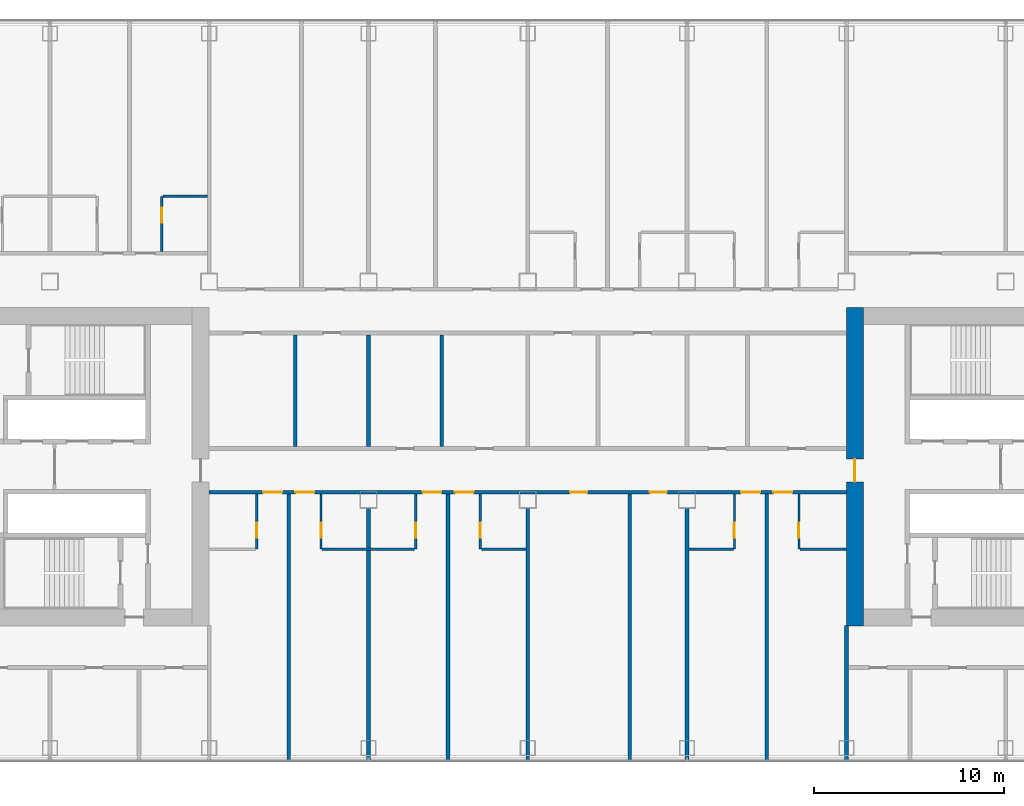
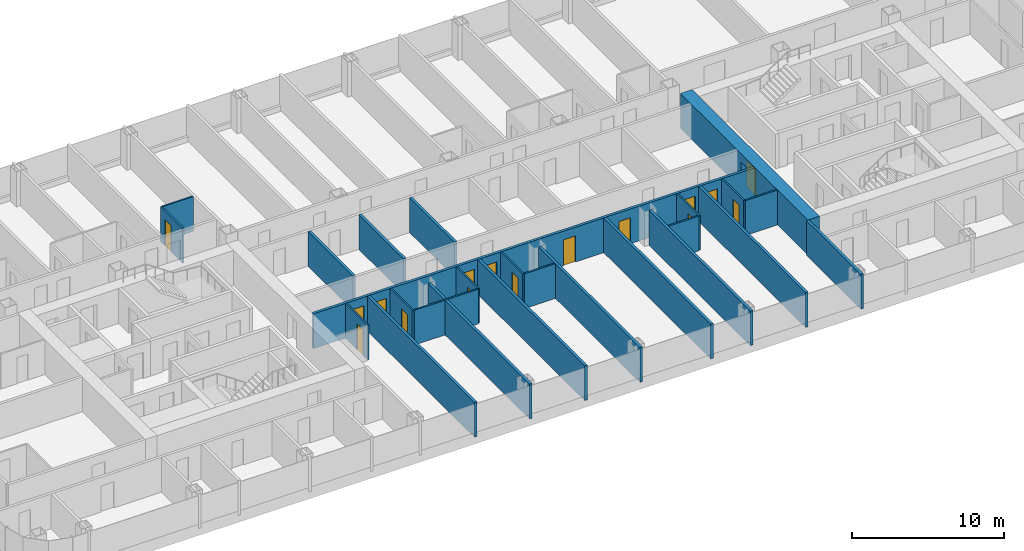
# One storey, part 17 of 29: 25 walls, 16 doors, 16 openings.
"""IFC4 building model written with IfcOpenShell, lengths in metres."""

import ifcopenshell
import ifcopenshell.guid

model = None  # the IFC model being written
_history = None  # IfcOwnerHistory: only IFC2X3 demands one
_inside = {}  # id of a spatial element -> (the spatial element, [elements in it])
_under = {}  # id of a project, library or spatial element -> (it, [spatial elements below it])
_declared = {}  # id of a project -> (the project, [libraries it declares])
_typed = {}  # id of a type object -> (the type object, [elements of that type])
_made_of = {}  # id of a material, layer set ... -> (it, [elements and type objects made of it])


def new_model(schema):
    """Start an empty IFC model of exactly this schema.

    Asked for "IFC4X3", IfcOpenShell would pick the latest addendum, in which some entities
    have other attributes; the version numbers below select the first issue.
    IFC2X3 requires an IfcOwnerHistory on every rooted entity: one is made here for all.
    """
    global model, _history
    if schema == "IFC4X3":
        model = ifcopenshell.file(schema_version=(4, 3, 0, 0))
    else:
        model = ifcopenshell.file(schema=schema)
    _inside.clear()
    _under.clear()
    _declared.clear()
    _typed.clear()
    _made_of.clear()
    _history = None
    if model.schema == "IFC2X3":
        org = make("IfcOrganization", Name="unknown")
        user = make(
            "IfcPersonAndOrganization",
            ThePerson=make("IfcPerson", FamilyName="unknown"),
            TheOrganization=org,
        )
        app = make(
            "IfcApplication",
            ApplicationDeveloper=org,
            Version="unknown",
            ApplicationFullName="unknown",
            ApplicationIdentifier="unknown",
        )
        _history = make(
            "IfcOwnerHistory",
            OwningUser=user,
            OwningApplication=app,
            ChangeAction="ADDED",
            CreationDate=0,
        )
    return model


def make(cls, **values):
    """One entity of the class cls with the attributes given. An attribute that is None is left unset."""
    return model.create_entity(
        cls, **{name: value for name, value in values.items() if value is not None}
    )


def rooted(cls, **values):
    """An entity with a GlobalId (a new one), such as an element, a storey or a relation."""
    return make(cls, GlobalId=ifcopenshell.guid.new(), OwnerHistory=_history, **values)


def si_unit(unit_type, name, prefix=None):
    """IfcSIUnit, for example si_unit("LENGTHUNIT", "METRE", prefix="MILLI")."""
    return make("IfcSIUnit", UnitType=unit_type, Prefix=prefix, Name=name)


def assignment(units):
    """IfcUnitAssignment: the units of a project."""
    return None if units is None else make("IfcUnitAssignment", Units=units)


def point(xyz):
    """IfcCartesianPoint."""
    return None if xyz is None else make("IfcCartesianPoint", Coordinates=xyz)


def direction(xyz):
    """IfcDirection."""
    return None if xyz is None else make("IfcDirection", DirectionRatios=xyz)


def frame(location, z_axis=None, x_axis=None):
    """IfcAxis2Placement3D, a coordinate frame: its origin and axes. An axis left out is left unset."""
    return make(
        "IfcAxis2Placement3D",
        Location=point(location),
        Axis=direction(z_axis),
        RefDirection=direction(x_axis),
    )


def frame_2d(location, x_axis=None):
    """IfcAxis2Placement2D, a coordinate frame in the plane: its origin and x axis."""
    return make(
        "IfcAxis2Placement2D", Location=point(location), RefDirection=direction(x_axis)
    )


def origin():
    """The frame at (0, 0, 0) with its axes left unset."""
    return frame((0.0, 0.0, 0.0))


def place(relative_to, where):
    """IfcLocalPlacement: puts the frame where relative to a parent placement (None: the world)."""
    return make(
        "IfcLocalPlacement", PlacementRelTo=relative_to, RelativePlacement=where
    )


def context(
    kind, dimensions, precision=None, world=None, true_north=None, identifier=None
):
    """IfcGeometricRepresentationContext, for example the 3D "Model" context."""
    return make(
        "IfcGeometricRepresentationContext",
        ContextIdentifier=identifier,
        ContextType=kind,
        CoordinateSpaceDimension=dimensions,
        Precision=precision,
        WorldCoordinateSystem=world,
        TrueNorth=true_north,
    )


def subcontext(parent, identifier, kind, view, scale=None):
    """IfcGeometricRepresentationSubContext, for example "Body" below "Model"."""
    return make(
        "IfcGeometricRepresentationSubContext",
        ContextIdentifier=identifier,
        ContextType=kind,
        ParentContext=parent,
        TargetScale=scale,
        TargetView=view,
    )


def project(units=None, contexts=None):
    """IfcProject with its units and contexts."""
    return rooted(
        "IfcProject",
        Name="project",
        RepresentationContexts=contexts,
        UnitsInContext=assignment(units),
    )


def spatial(cls, under=None, at=None, **own):
    """A site, building, storey or space (cls), placed at a placement, below another one or the project."""
    s = rooted(cls, ObjectPlacement=at, **own)
    if under is not None:
        _under.setdefault(under.id(), (under, []))[1].append(s)
    return s


def profile(cls, at=None, kind="AREA", **sizes):
    """A parametric profile (cls). Its sizes go by their IFC names, for example OverallWidth=200.0."""
    return make(cls, ProfileType=kind, Position=at, **sizes)


def rectangle(**sizes):
    """IfcRectangleProfileDef."""
    return profile("IfcRectangleProfileDef", **sizes)


def extrude(swept, where, along, depth):
    """IfcExtrudedAreaSolid: the profile swept, set in the frame where, extruded along a direction by depth."""
    return make(
        "IfcExtrudedAreaSolid",
        SweptArea=swept,
        Position=where,
        ExtrudedDirection=direction(along),
        Depth=depth,
    )


def shape(context_of_items, identifier, shape_type, items):
    """IfcShapeRepresentation: the items that make up one representation, for example the "Body"."""
    return make(
        "IfcShapeRepresentation",
        ContextOfItems=context_of_items,
        RepresentationIdentifier=identifier,
        RepresentationType=shape_type,
        Items=items,
    )


def material(Name=None, Category=None):
    """IfcMaterial."""
    return make("IfcMaterial", Name=Name, Category=Category)


def layer(
    of_material, thickness, ventilated=None, Name=None, Category=None, Priority=None
):
    """IfcMaterialLayer: one layer of a wall or slab, of a material (None: an air gap)."""
    return make(
        "IfcMaterialLayer",
        Material=of_material,
        LayerThickness=thickness,
        IsVentilated=ventilated,
        Name=Name,
        Category=Category,
        Priority=Priority,
    )


def layer_set(layers, Name=None):
    """IfcMaterialLayerSet."""
    return make("IfcMaterialLayerSet", MaterialLayers=layers, LayerSetName=Name)


def made_of(thing, what):
    """Note that an element or type object is made of a material, layer set ...; save() writes the relation."""
    if what is not None:
        _made_of.setdefault(what.id(), (what, []))[1].append(thing)
    return thing


def type_object(cls, material=None, **own):
    """A type object (cls), such as IfcWallType, which elements share."""
    return made_of(rooted(cls, **own), material)


def element(
    cls,
    number,
    at=None,
    inside=None,
    cuts=None,
    type_object=None,
    material=None,
    context=None,
    identifier="Body",
    shape_type=None,
    held_by="IfcProductDefinitionShape",
    body=None,
    shapes=None,
    **own,
):
    """One element of the class cls, such as IfcWall. Its Tag is "e" and its number.

    at: its placement. inside: the storey or other place that contains it. cuts: it is an
    opening in that element (IfcRelVoidsElement). A single representation is given by context,
    identifier, shape_type and body (its items); several are given by shapes. held_by: the class
    of the entity that holds the representations. save() writes the other relations.
    """
    e = rooted(cls, Tag="e%d" % number, ObjectPlacement=at, **own)
    if body is not None:
        shapes = [shape(context, identifier, shape_type, body)]
    if shapes is not None:
        e.Representation = make(held_by, Representations=shapes)
    if inside is not None:
        _inside.setdefault(inside.id(), (inside, []))[1].append(e)
    if cuts is not None:
        rooted(
            "IfcRelVoidsElement", RelatingBuildingElement=cuts, RelatedOpeningElement=e
        )
    if type_object is not None:
        _typed.setdefault(type_object.id(), (type_object, []))[1].append(e)
    return made_of(e, material)


def fill(opening, filler):
    """IfcRelFillsElement: the door or window that sits in an opening."""
    return rooted(
        "IfcRelFillsElement",
        RelatingOpeningElement=opening,
        RelatedBuildingElement=filler,
    )


def aggregate(whole, parts):
    """IfcRelAggregates: a whole, such as a stair, and the parts it consists of."""
    return rooted("IfcRelAggregates", RelatingObject=whole, RelatedObjects=parts)


def save(model, path):
    """Write the relations noted so far, then the file.

    IfcRelAggregates (storeys below a building ...), IfcRelContainedInSpatialStructure (elements
    in a storey), IfcRelDefinesByType, IfcRelAssociatesMaterial and IfcRelDeclares: one each for
    every whole, place, type object, material and project.
    """
    for whole, parts in _under.values():
        aggregate(whole, parts)
    for where, things in _inside.values():
        rooted(
            "IfcRelContainedInSpatialStructure",
            RelatedElements=things,
            RelatingStructure=where,
        )
    for kind, things in _typed.values():
        rooted("IfcRelDefinesByType", RelatedObjects=things, RelatingType=kind)
    for what, things in _made_of.values():
        rooted("IfcRelAssociatesMaterial", RelatedObjects=things, RelatingMaterial=what)
    for by, libraries in _declared.values():
        rooted("IfcRelDeclares", RelatingContext=by, RelatedDefinitions=libraries)
    model.write(path)


model = new_model("IFC4")

# Units and contexts
model_context = context("Model", 3, precision=1e-05, world=origin(), true_north=direction((0.0, 1.0)))
body_context = subcontext(model_context, "Body", "Model", "MODEL_VIEW")
ifc_project = project(units=[si_unit("LENGTHUNIT", "METRE"), si_unit("AREAUNIT", "SQUARE_METRE"), si_unit("VOLUMEUNIT", "CUBIC_METRE"), si_unit("PLANEANGLEUNIT", "RADIAN"), si_unit("MASSUNIT", "GRAM", prefix="KILO")], contexts=[model_context])

# Site, building, storey
site_placement = place(None, origin())
site = spatial("IfcSite", under=ifc_project, at=site_placement, CompositionType="ELEMENT")
building_placement = place(site_placement, origin())
building = spatial("IfcBuilding", under=site, at=building_placement, Name="Hakoniwa Tower and Hamabe Station Hall", CompositionType="ELEMENT")
storey_placement = place(building_placement, frame((0.0, 0.0, 110.60009765625)))
storey = spatial("IfcBuildingStorey", under=building, at=storey_placement, Name="L31", CompositionType="ELEMENT", Elevation=110.60009765625)

# Walls
ifc_material_1 = material(Name="Gypsum board partition", Category="gypsum")
ifc_layer_1 = layer(ifc_material_1, 0.125)
ifc_layer_set_1 = layer_set([ifc_layer_1], Name="Bathroom Partition 125")
wall_type_1 = type_object("IfcWallType", Name="Bathroom Partition 125", PredefinedType="PARTITIONING", material=ifc_layer_set_1)
wall_1_placement = place(storey_placement, frame((-10.83740234375, -4.35009765625, 0.0), z_axis=(0.0, 0.0, 1.0), x_axis=(1.0, 0.0, 0.0)))
element("IfcWall", 1, at=wall_1_placement, inside=storey, type_object=wall_type_1, Name="GW-L31-008", PredefinedType="PARTITIONING", context=body_context, shape_type="SweptSolid", body=[
    extrude(rectangle(XDim=4.875, YDim=0.125, at=frame_2d((2.4375, 0.0))), origin(), (0.0, 0.0, 1.0), 2.7998046875),
])
for number, where, z_axis, x_axis, name in (
    (2, (-2.4375, -4.35009765625, 0.0), (0.0, 0.0, 1.0), (1.0, 0.0, 0.0), "GW-L31-009"),
    (3, (8.5, -4.35009765625, 0.0), (0.0, 0.0, 1.0), (1.0, 0.0, 0.0), "GW-L31-010"),
):
    element("IfcWall", number, at=place(storey_placement, frame(where, z_axis=z_axis, x_axis=x_axis)), inside=storey, type_object=wall_type_1, Name=name, PredefinedType="PARTITIONING", context=body_context, shape_type="SweptSolid", body=[
        extrude(rectangle(XDim=2.33740234375, YDim=0.125, at=frame_2d((1.168701171875, 0.0))), origin(), (0.0, 0.0, 1.0), 2.7998046875),
    ])
wall_2_placement = place(storey_placement, frame((14.362548828125, -4.35009765625, 0.0), z_axis=(0.0, 0.0, 1.0), x_axis=(1.0, 0.0, 0.0)))
element("IfcWall", 4, at=wall_2_placement, inside=storey, type_object=wall_type_1, Name="GW-L31-011", PredefinedType="PARTITIONING", context=body_context, shape_type="SweptSolid", body=[
    extrude(rectangle(XDim=2.447509765625, YDim=0.125, at=frame_2d((1.2236328125, 0.0))), origin(), (0.0, 0.0, 1.0), 2.7998046875),
])
wall_3_placement = place(storey_placement, frame((-19.237548828125, 14.25, 0.0), z_axis=(0.0, 0.0, 1.0), x_axis=(1.0, 0.0, 0.0)))
element("IfcWall", 5, at=wall_3_placement, inside=storey, type_object=wall_type_1, Name="GW-L31-030", PredefinedType="PARTITIONING", context=body_context, shape_type="SweptSolid", body=[
    extrude(rectangle(XDim=2.337646484375, YDim=0.125, at=frame_2d((1.1689453125, 0.0))), origin(), (0.0, 0.0, 1.0), 2.7998046875),
])

# Wall, opening, door
wall_4_placement = place(storey_placement, frame((-19.300048828125, 11.35009765625, 0.0), z_axis=(0.0, 0.0, 1.0), x_axis=(0.0, 1.0, 0.0)))
wall_4 = element("IfcWall", 6, at=wall_4_placement, inside=storey, type_object=wall_type_1, Name="GW-L31-050", PredefinedType="PARTITIONING", context=body_context, shape_type="SweptSolid", body=[
    extrude(rectangle(XDim=2.89990234375, YDim=0.125, at=frame_2d((1.449951171875, 0.0))), origin(), (0.0, 0.0, 1.0), 2.7998046875),
])
opening_1_placement = place(wall_4_placement, frame((1.5, 0.0, 0.0)))
opening_1 = element("IfcOpeningElement", 7, at=opening_1_placement, cuts=wall_4, Name="Opening GD-G2B2-62", PredefinedType="OPENING", context=body_context, shape_type="SweptSolid", body=[
    extrude(rectangle(XDim=0.800048828125, YDim=2.10009765625, at=frame_2d((0.39990234375, 1.050048828125))), frame((0.0, 0.072509765625, 0.0), z_axis=(0.0, -1.0, 0.0), x_axis=(1.0, 0.0, 0.0)), (0.0, 0.0, 1.0), 0.14501953125),
])
ifc_material_2 = material(Name="Timber door leaf", Category="wood")
door_type_1 = type_object("IfcDoorType", Name="Bathroom Door 800", OperationType="SINGLE_SWING_LEFT", PredefinedType="DOOR", material=ifc_material_2)
door_1_placement = place(opening_1_placement, origin())
door_1 = element("IfcDoor", 8, at=door_1_placement, inside=storey, type_object=door_type_1, Name="Door GD-G2B2-62", OperationType="SINGLE_SWING_RIGHT", OverallHeight=2.10009765625, OverallWidth=0.800048828125, PredefinedType="DOOR", context=body_context, shape_type="SweptSolid", body=[
    extrude(rectangle(XDim=0.800048828125, YDim=2.10009765625, at=frame_2d((0.39990234375, 1.050048828125))), frame((0.0, 0.02490234375, 0.0), z_axis=(0.0, -1.0, 0.0), x_axis=(1.0, 0.0, 0.0)), (0.0, 0.0, 1.0), 0.050048828125),
])
fill(opening_1, door_1)

wall_5_placement = place(storey_placement, frame((-14.300048828125, -4.35009765625, 0.0), z_axis=(0.0, 0.0, 1.0), x_axis=(0.0, 1.0, 0.0)))
wall_5 = element("IfcWall", 9, at=wall_5_placement, inside=storey, type_object=wall_type_1, Name="GW-L31-053", PredefinedType="PARTITIONING", context=body_context, shape_type="SweptSolid", body=[
    extrude(rectangle(XDim=2.900146484375, YDim=0.125, at=frame_2d((1.4501953125, 0.0))), origin(), (0.0, 0.0, 1.0), 2.7998046875),
])
opening_2_placement = place(wall_5_placement, frame((0.60009765625, 0.0, 0.0)))
opening_2 = element("IfcOpeningElement", 10, at=opening_2_placement, cuts=wall_5, Name="Opening GD-G2B2-63", PredefinedType="OPENING", context=body_context, shape_type="SweptSolid", body=[
    extrude(rectangle(XDim=0.800048828125, YDim=2.10009765625, at=frame_2d((0.39990234375, 1.050048828125))), frame((0.0, 0.072509765625, 0.0), z_axis=(0.0, -1.0, 0.0), x_axis=(1.0, 0.0, 0.0)), (0.0, 0.0, 1.0), 0.14501953125),
])
door_2_placement = place(opening_2_placement, origin())
door_2 = element("IfcDoor", 11, at=door_2_placement, inside=storey, type_object=door_type_1, Name="Door GD-G2B2-63", OperationType="SINGLE_SWING_RIGHT", OverallHeight=2.10009765625, OverallWidth=0.800048828125, PredefinedType="DOOR", context=body_context, shape_type="SweptSolid", body=[
    extrude(rectangle(XDim=0.800048828125, YDim=2.10009765625, at=frame_2d((0.39990234375, 1.050048828125))), frame((0.0, 0.02490234375, 0.0), z_axis=(0.0, -1.0, 0.0), x_axis=(1.0, 0.0, 0.0)), (0.0, 0.0, 1.0), 0.050048828125),
])
fill(opening_2, door_2)

wall_6_placement = place(storey_placement, frame((-10.89990234375, -4.35009765625, 0.0), z_axis=(0.0, 0.0, 1.0), x_axis=(0.0, 1.0, 0.0)))
wall_6 = element("IfcWall", 12, at=wall_6_placement, inside=storey, type_object=wall_type_1, Name="GW-L31-057", PredefinedType="PARTITIONING", context=body_context, shape_type="SweptSolid", body=[
    extrude(rectangle(XDim=2.900146484375, YDim=0.125, at=frame_2d((1.4501953125, 0.0))), origin(), (0.0, 0.0, 1.0), 2.7998046875),
])
opening_3_placement = place(wall_6_placement, frame((0.60009765625, 0.0, 0.0)))
opening_3 = element("IfcOpeningElement", 13, at=opening_3_placement, cuts=wall_6, Name="Opening GD-G2B2-64", PredefinedType="OPENING", context=body_context, shape_type="SweptSolid", body=[
    extrude(rectangle(XDim=0.800048828125, YDim=2.10009765625, at=frame_2d((0.39990234375, 1.050048828125))), frame((0.0, 0.072509765625, 0.0), z_axis=(0.0, -1.0, 0.0), x_axis=(1.0, 0.0, 0.0)), (0.0, 0.0, 1.0), 0.14501953125),
])
door_3_placement = place(opening_3_placement, origin())
door_3 = element("IfcDoor", 14, at=door_3_placement, inside=storey, type_object=door_type_1, Name="Door GD-G2B2-64", OperationType="SINGLE_SWING_LEFT", OverallHeight=2.10009765625, OverallWidth=0.800048828125, PredefinedType="DOOR", context=body_context, shape_type="SweptSolid", body=[
    extrude(rectangle(XDim=0.800048828125, YDim=2.10009765625, at=frame_2d((0.39990234375, 1.050048828125))), frame((0.0, 0.02490234375, 0.0), z_axis=(0.0, -1.0, 0.0), x_axis=(1.0, 0.0, 0.0)), (0.0, 0.0, 1.0), 0.050048828125),
])
fill(opening_3, door_3)

wall_7_placement = place(storey_placement, frame((-5.89990234375, -4.35009765625, 0.0), z_axis=(0.0, 0.0, 1.0), x_axis=(0.0, 1.0, 0.0)))
wall_7 = element("IfcWall", 15, at=wall_7_placement, inside=storey, type_object=wall_type_1, Name="GW-L31-061", PredefinedType="PARTITIONING", context=body_context, shape_type="SweptSolid", body=[
    extrude(rectangle(XDim=2.900146484375, YDim=0.125, at=frame_2d((1.4501953125, 0.0))), origin(), (0.0, 0.0, 1.0), 2.7998046875),
])
opening_4_placement = place(wall_7_placement, frame((0.60009765625, 0.0, 0.0)))
opening_4 = element("IfcOpeningElement", 16, at=opening_4_placement, cuts=wall_7, Name="Opening GD-G2B2-65", PredefinedType="OPENING", context=body_context, shape_type="SweptSolid", body=[
    extrude(rectangle(XDim=0.800048828125, YDim=2.10009765625, at=frame_2d((0.39990234375, 1.050048828125))), frame((0.0, 0.072509765625, 0.0), z_axis=(0.0, -1.0, 0.0), x_axis=(1.0, 0.0, 0.0)), (0.0, 0.0, 1.0), 0.14501953125),
])
door_4_placement = place(opening_4_placement, origin())
door_4 = element("IfcDoor", 17, at=door_4_placement, inside=storey, type_object=door_type_1, Name="Door GD-G2B2-65", OperationType="SINGLE_SWING_RIGHT", OverallHeight=2.10009765625, OverallWidth=0.800048828125, PredefinedType="DOOR", context=body_context, shape_type="SweptSolid", body=[
    extrude(rectangle(XDim=0.800048828125, YDim=2.10009765625, at=frame_2d((0.39990234375, 1.050048828125))), frame((0.0, 0.02490234375, 0.0), z_axis=(0.0, -1.0, 0.0), x_axis=(1.0, 0.0, 0.0)), (0.0, 0.0, 1.0), 0.050048828125),
])
fill(opening_4, door_4)

wall_8_placement = place(storey_placement, frame((-2.5, -4.35009765625, 0.0), z_axis=(0.0, 0.0, 1.0), x_axis=(0.0, 1.0, 0.0)))
wall_8 = element("IfcWall", 18, at=wall_8_placement, inside=storey, type_object=wall_type_1, Name="GW-L31-065", PredefinedType="PARTITIONING", context=body_context, shape_type="SweptSolid", body=[
    extrude(rectangle(XDim=2.900146484375, YDim=0.125, at=frame_2d((1.4501953125, 0.0))), origin(), (0.0, 0.0, 1.0), 2.7998046875),
])
opening_5_placement = place(wall_8_placement, frame((0.60009765625, 0.0, 0.0)))
opening_5 = element("IfcOpeningElement", 19, at=opening_5_placement, cuts=wall_8, Name="Opening GD-G2B2-66", PredefinedType="OPENING", context=body_context, shape_type="SweptSolid", body=[
    extrude(rectangle(XDim=0.800048828125, YDim=2.10009765625, at=frame_2d((0.39990234375, 1.050048828125))), frame((0.0, 0.072509765625, 0.0), z_axis=(0.0, -1.0, 0.0), x_axis=(1.0, 0.0, 0.0)), (0.0, 0.0, 1.0), 0.14501953125),
])
door_5_placement = place(opening_5_placement, origin())
door_5 = element("IfcDoor", 20, at=door_5_placement, inside=storey, type_object=door_type_1, Name="Door GD-G2B2-66", OperationType="SINGLE_SWING_LEFT", OverallHeight=2.10009765625, OverallWidth=0.800048828125, PredefinedType="DOOR", context=body_context, shape_type="SweptSolid", body=[
    extrude(rectangle(XDim=0.800048828125, YDim=2.10009765625, at=frame_2d((0.39990234375, 1.050048828125))), frame((0.0, 0.02490234375, 0.0), z_axis=(0.0, -1.0, 0.0), x_axis=(1.0, 0.0, 0.0)), (0.0, 0.0, 1.0), 0.050048828125),
])
fill(opening_5, door_5)

wall_9_placement = place(storey_placement, frame((10.89990234375, -4.35009765625, 0.0), z_axis=(0.0, 0.0, 1.0), x_axis=(0.0, 1.0, 0.0)))
wall_9 = element("IfcWall", 21, at=wall_9_placement, inside=storey, type_object=wall_type_1, Name="GW-L31-077", PredefinedType="PARTITIONING", context=body_context, shape_type="SweptSolid", body=[
    extrude(rectangle(XDim=2.900146484375, YDim=0.125, at=frame_2d((1.4501953125, 0.0))), origin(), (0.0, 0.0, 1.0), 2.7998046875),
])
opening_6_placement = place(wall_9_placement, frame((0.60009765625, 0.0, 0.0)))
opening_6 = element("IfcOpeningElement", 22, at=opening_6_placement, cuts=wall_9, Name="Opening GD-G2B2-69", PredefinedType="OPENING", context=body_context, shape_type="SweptSolid", body=[
    extrude(rectangle(XDim=0.800048828125, YDim=2.10009765625, at=frame_2d((0.39990234375, 1.050048828125))), frame((0.0, 0.072509765625, 0.0), z_axis=(0.0, -1.0, 0.0), x_axis=(1.0, 0.0, 0.0)), (0.0, 0.0, 1.0), 0.14501953125),
])
door_6_placement = place(opening_6_placement, origin())
door_6 = element("IfcDoor", 23, at=door_6_placement, inside=storey, type_object=door_type_1, Name="Door GD-G2B2-69", OperationType="SINGLE_SWING_RIGHT", OverallHeight=2.10009765625, OverallWidth=0.800048828125, PredefinedType="DOOR", context=body_context, shape_type="SweptSolid", body=[
    extrude(rectangle(XDim=0.800048828125, YDim=2.10009765625, at=frame_2d((0.39990234375, 1.050048828125))), frame((0.0, 0.02490234375, 0.0), z_axis=(0.0, -1.0, 0.0), x_axis=(1.0, 0.0, 0.0)), (0.0, 0.0, 1.0), 0.050048828125),
])
fill(opening_6, door_6)

wall_10_placement = place(storey_placement, frame((14.300048828125, -4.35009765625, 0.0), z_axis=(0.0, 0.0, 1.0), x_axis=(0.0, 1.0, 0.0)))
wall_10 = element("IfcWall", 24, at=wall_10_placement, inside=storey, type_object=wall_type_1, Name="GW-L31-082", PredefinedType="PARTITIONING", context=body_context, shape_type="SweptSolid", body=[
    extrude(rectangle(XDim=2.900146484375, YDim=0.125, at=frame_2d((1.4501953125, 0.0))), origin(), (0.0, 0.0, 1.0), 2.7998046875),
])
opening_7_placement = place(wall_10_placement, frame((0.60009765625, 0.0, 0.0)))
opening_7 = element("IfcOpeningElement", 25, at=opening_7_placement, cuts=wall_10, Name="Opening GD-G2B2-71", PredefinedType="OPENING", context=body_context, shape_type="SweptSolid", body=[
    extrude(rectangle(XDim=0.800048828125, YDim=2.10009765625, at=frame_2d((0.39990234375, 1.050048828125))), frame((0.0, 0.072509765625, 0.0), z_axis=(0.0, -1.0, 0.0), x_axis=(1.0, 0.0, 0.0)), (0.0, 0.0, 1.0), 0.14501953125),
])
door_7_placement = place(opening_7_placement, origin())
door_7 = element("IfcDoor", 26, at=door_7_placement, inside=storey, type_object=door_type_1, Name="Door GD-G2B2-71", OperationType="SINGLE_SWING_LEFT", OverallHeight=2.10009765625, OverallWidth=0.800048828125, PredefinedType="DOOR", context=body_context, shape_type="SweptSolid", body=[
    extrude(rectangle(XDim=0.800048828125, YDim=2.10009765625, at=frame_2d((0.39990234375, 1.050048828125))), frame((0.0, 0.02490234375, 0.0), z_axis=(0.0, -1.0, 0.0), x_axis=(1.0, 0.0, 0.0)), (0.0, 0.0, 1.0), 0.050048828125),
])
fill(opening_7, door_7)

ifc_material_3 = material(Name="Concrete C72", Category="concrete")
ifc_layer_2 = layer(ifc_material_3, 0.89990234375)
ifc_layer_set_2 = layer_set([ifc_layer_2], Name="CORE WALL 900 C72")
wall_type_2 = type_object("IfcWallType", Name="CORE WALL 900 C72", PredefinedType="SHEAR", material=ifc_layer_set_2)
wall_11_placement = place(storey_placement, frame((17.25, -8.39990234375, 0.0), z_axis=(0.0, 0.0, 1.0), x_axis=(0.0, 1.0, 0.0)))
wall_11 = element("IfcWall", 27, at=wall_11_placement, inside=storey, type_object=wall_type_2, Name="Core wall INNER east", PredefinedType="SHEAR", context=body_context, shape_type="SweptSolid", body=[
    extrude(rectangle(XDim=16.7998046875, YDim=0.89990234375, at=frame_2d((8.39990234375, 0.0))), origin(), (0.0, 0.0, 1.0), 2.7998046875),
])
opening_8_placement = place(wall_11_placement, frame((7.60009765625, 0.0, 0.0)))
opening_8 = element("IfcOpeningElement", 28, at=opening_8_placement, cuts=wall_11, Name="Opening CD-E-IN1-12", PredefinedType="OPENING", context=body_context, shape_type="SweptSolid", body=[
    extrude(rectangle(XDim=1.199951171875, YDim=2.10009765625, at=frame_2d((0.60009765625, 1.050048828125))), frame((0.0, 0.4599609375, 0.0), z_axis=(0.0, -1.0, 0.0), x_axis=(1.0, 0.0, 0.0)), (0.0, 0.0, 1.0), 0.919921875),
])
ifc_material_4 = material(Name="Steel fire door", Category="steel")
door_type_2 = type_object("IfcDoorType", Name="CORE DOOR 1200 FD60", OperationType="DOUBLE_DOOR_SINGLE_SWING", PredefinedType="DOOR", material=ifc_material_4)
door_8_placement = place(opening_8_placement, origin())
door_8 = element("IfcDoor", 29, at=door_8_placement, inside=storey, type_object=door_type_2, Name="Lift lobby door", OperationType="DOUBLE_DOOR_SINGLE_SWING", OverallHeight=2.10009765625, OverallWidth=1.199951171875, PredefinedType="DOOR", context=body_context, shape_type="SweptSolid", body=[
    extrude(rectangle(XDim=1.199951171875, YDim=2.10009765625, at=frame_2d((0.60009765625, 1.050048828125))), frame((0.0, 0.02490234375, 0.0), z_axis=(0.0, -1.0, 0.0), x_axis=(1.0, 0.0, 0.0)), (0.0, 0.0, 1.0), 0.050048828125),
])
fill(opening_8, door_8)

# Wall, openings, doors
ifc_material_5 = material(Name="Fire-rated gypsum board partition", Category="gypsum")
ifc_layer_3 = layer(ifc_material_5, 0.199951171875)
ifc_layer_set_3 = layer_set([ifc_layer_3], Name="Corridor Wall 200")
wall_type_3 = type_object("IfcWallType", Name="Corridor Wall 200", PredefinedType="PARTITIONING", material=ifc_layer_set_3)
wall_12_placement = place(storey_placement, frame((-16.800048828125, -1.35009765625, 0.0), z_axis=(0.0, 0.0, 1.0), x_axis=(1.0, 0.0, 0.0)))
wall_12 = element("IfcWall", 30, at=wall_12_placement, inside=storey, type_object=wall_type_3, Name="GW-L31-012", PredefinedType="PARTITIONING", context=body_context, shape_type="SweptSolid", body=[
    extrude(rectangle(XDim=33.60009765625, YDim=0.199951171875, at=frame_2d((16.800048828125, 0.0))), origin(), (0.0, 0.0, 1.0), 2.7998046875),
])
opening_9_placement = place(wall_12_placement, frame((2.85009765625, 0.0, 0.0)))
opening_9 = element("IfcOpeningElement", 31, at=opening_9_placement, cuts=wall_12, Name="Opening GD-G2B2-18", PredefinedType="OPENING", context=body_context, shape_type="SweptSolid", body=[
    extrude(rectangle(XDim=1.0, YDim=2.10009765625, at=frame_2d((0.5, 1.050048828125))), frame((0.0, 0.10986328125, 0.0), z_axis=(0.0, -1.0, 0.0), x_axis=(1.0, 0.0, 0.0)), (0.0, 0.0, 1.0), 0.219970703125),
])
opening_10_placement = place(wall_12_placement, frame((4.550048828125, 0.0, 0.0)))
opening_10 = element("IfcOpeningElement", 32, at=opening_10_placement, cuts=wall_12, Name="Opening GD-G2B2-19", PredefinedType="OPENING", context=body_context, shape_type="SweptSolid", body=[
    extrude(rectangle(XDim=1.0, YDim=2.10009765625, at=frame_2d((0.5, 1.050048828125))), frame((0.0, 0.10986328125, 0.0), z_axis=(0.0, -1.0, 0.0), x_axis=(1.0, 0.0, 0.0)), (0.0, 0.0, 1.0), 0.219970703125),
])
opening_11_placement = place(wall_12_placement, frame((11.25, 0.0, 0.0)))
opening_11 = element("IfcOpeningElement", 33, at=opening_11_placement, cuts=wall_12, Name="Opening GD-G2B2-20", PredefinedType="OPENING", context=body_context, shape_type="SweptSolid", body=[
    extrude(rectangle(XDim=1.0, YDim=2.10009765625, at=frame_2d((0.5, 1.050048828125))), frame((0.0, 0.10986328125, 0.0), z_axis=(0.0, -1.0, 0.0), x_axis=(1.0, 0.0, 0.0)), (0.0, 0.0, 1.0), 0.219970703125),
])
opening_12_placement = place(wall_12_placement, frame((12.949951171875, 0.0, 0.0)))
opening_12 = element("IfcOpeningElement", 34, at=opening_12_placement, cuts=wall_12, Name="Opening GD-G2B2-21", PredefinedType="OPENING", context=body_context, shape_type="SweptSolid", body=[
    extrude(rectangle(XDim=1.0, YDim=2.10009765625, at=frame_2d((0.5, 1.050048828125))), frame((0.0, 0.10986328125, 0.0), z_axis=(0.0, -1.0, 0.0), x_axis=(1.0, 0.0, 0.0)), (0.0, 0.0, 1.0), 0.219970703125),
])
opening_13_placement = place(wall_12_placement, frame((19.0400390625, 0.0, 0.0)))
opening_13 = element("IfcOpeningElement", 35, at=opening_13_placement, cuts=wall_12, Name="Opening GD-G2B2-22", PredefinedType="OPENING", context=body_context, shape_type="SweptSolid", body=[
    extrude(rectangle(XDim=0.89990234375, YDim=2.10009765625, at=frame_2d((0.449951171875, 1.050048828125))), frame((0.0, 0.10986328125, 0.0), z_axis=(0.0, -1.0, 0.0), x_axis=(1.0, 0.0, 0.0)), (0.0, 0.0, 1.0), 0.219970703125),
])
opening_14_placement = place(wall_12_placement, frame((23.239990234375, 0.0, 0.0)))
opening_14 = element("IfcOpeningElement", 36, at=opening_14_placement, cuts=wall_12, Name="Opening GD-G2B2-23", PredefinedType="OPENING", context=body_context, shape_type="SweptSolid", body=[
    extrude(rectangle(XDim=0.89990234375, YDim=2.10009765625, at=frame_2d((0.449951171875, 1.050048828125))), frame((0.0, 0.10986328125, 0.0), z_axis=(0.0, -1.0, 0.0), x_axis=(1.0, 0.0, 0.0)), (0.0, 0.0, 1.0), 0.219970703125),
])
opening_15_placement = place(wall_12_placement, frame((28.050048828125, 0.0, 0.0)))
opening_15 = element("IfcOpeningElement", 37, at=opening_15_placement, cuts=wall_12, Name="Opening GD-G2B2-24", PredefinedType="OPENING", context=body_context, shape_type="SweptSolid", body=[
    extrude(rectangle(XDim=1.0, YDim=2.10009765625, at=frame_2d((0.5, 1.050048828125))), frame((0.0, 0.10986328125, 0.0), z_axis=(0.0, -1.0, 0.0), x_axis=(1.0, 0.0, 0.0)), (0.0, 0.0, 1.0), 0.219970703125),
])
opening_16_placement = place(wall_12_placement, frame((29.75, 0.0, 0.0)))
opening_16 = element("IfcOpeningElement", 38, at=opening_16_placement, cuts=wall_12, Name="Opening GD-G2B2-25", PredefinedType="OPENING", context=body_context, shape_type="SweptSolid", body=[
    extrude(rectangle(XDim=1.0, YDim=2.10009765625, at=frame_2d((0.5, 1.050048828125))), frame((0.0, 0.10986328125, 0.0), z_axis=(0.0, -1.0, 0.0), x_axis=(1.0, 0.0, 0.0)), (0.0, 0.0, 1.0), 0.219970703125),
])
ifc_material_6 = material(Name="Timber door leaf", Category="wood")
door_type_3 = type_object("IfcDoorType", Name="Guest Entrance Door 1000", OperationType="SINGLE_SWING_LEFT", PredefinedType="DOOR", material=ifc_material_6)
door_9_placement = place(opening_9_placement, origin())
door_9 = element("IfcDoor", 39, at=door_9_placement, inside=storey, type_object=door_type_3, Name="Door GD-G2B2-18", OperationType="SINGLE_SWING_RIGHT", OverallHeight=2.10009765625, OverallWidth=1.0, PredefinedType="DOOR", context=body_context, shape_type="SweptSolid", body=[
    extrude(rectangle(XDim=1.0, YDim=2.10009765625, at=frame_2d((0.5, 1.050048828125))), frame((0.0, 0.02490234375, 0.0), z_axis=(0.0, -1.0, 0.0), x_axis=(1.0, 0.0, 0.0)), (0.0, 0.0, 1.0), 0.050048828125),
])
fill(opening_9, door_9)
door_10_placement = place(opening_10_placement, origin())
door_10 = element("IfcDoor", 40, at=door_10_placement, inside=storey, type_object=door_type_3, Name="Door GD-G2B2-19", OperationType="SINGLE_SWING_LEFT", OverallHeight=2.10009765625, OverallWidth=1.0, PredefinedType="DOOR", context=body_context, shape_type="SweptSolid", body=[
    extrude(rectangle(XDim=1.0, YDim=2.10009765625, at=frame_2d((0.5, 1.050048828125))), frame((0.0, 0.02490234375, 0.0), z_axis=(0.0, -1.0, 0.0), x_axis=(1.0, 0.0, 0.0)), (0.0, 0.0, 1.0), 0.050048828125),
])
fill(opening_10, door_10)
door_11_placement = place(opening_11_placement, origin())
door_11 = element("IfcDoor", 41, at=door_11_placement, inside=storey, type_object=door_type_3, Name="Door GD-G2B2-20", OperationType="SINGLE_SWING_LEFT", OverallHeight=2.10009765625, OverallWidth=1.0, PredefinedType="DOOR", context=body_context, shape_type="SweptSolid", body=[
    extrude(rectangle(XDim=1.0, YDim=2.10009765625, at=frame_2d((0.5, 1.050048828125))), frame((0.0, 0.02490234375, 0.0), z_axis=(0.0, -1.0, 0.0), x_axis=(1.0, 0.0, 0.0)), (0.0, 0.0, 1.0), 0.050048828125),
])
fill(opening_11, door_11)
door_12_placement = place(opening_12_placement, origin())
door_12 = element("IfcDoor", 42, at=door_12_placement, inside=storey, type_object=door_type_3, Name="Door GD-G2B2-21", OperationType="SINGLE_SWING_RIGHT", OverallHeight=2.10009765625, OverallWidth=1.0, PredefinedType="DOOR", context=body_context, shape_type="SweptSolid", body=[
    extrude(rectangle(XDim=1.0, YDim=2.10009765625, at=frame_2d((0.5, 1.050048828125))), frame((0.0, 0.02490234375, 0.0), z_axis=(0.0, -1.0, 0.0), x_axis=(1.0, 0.0, 0.0)), (0.0, 0.0, 1.0), 0.050048828125),
])
fill(opening_12, door_12)
door_13_placement = place(opening_15_placement, origin())
door_13 = element("IfcDoor", 43, at=door_13_placement, inside=storey, type_object=door_type_3, Name="Door GD-G2B2-24", OperationType="SINGLE_SWING_LEFT", OverallHeight=2.10009765625, OverallWidth=1.0, PredefinedType="DOOR", context=body_context, shape_type="SweptSolid", body=[
    extrude(rectangle(XDim=1.0, YDim=2.10009765625, at=frame_2d((0.5, 1.050048828125))), frame((0.0, 0.02490234375, 0.0), z_axis=(0.0, -1.0, 0.0), x_axis=(1.0, 0.0, 0.0)), (0.0, 0.0, 1.0), 0.050048828125),
])
fill(opening_15, door_13)
door_14_placement = place(opening_16_placement, origin())
door_14 = element("IfcDoor", 44, at=door_14_placement, inside=storey, type_object=door_type_3, Name="Door GD-G2B2-25", OperationType="SINGLE_SWING_RIGHT", OverallHeight=2.10009765625, OverallWidth=1.0, PredefinedType="DOOR", context=body_context, shape_type="SweptSolid", body=[
    extrude(rectangle(XDim=1.0, YDim=2.10009765625, at=frame_2d((0.5, 1.050048828125))), frame((0.0, 0.02490234375, 0.0), z_axis=(0.0, -1.0, 0.0), x_axis=(1.0, 0.0, 0.0)), (0.0, 0.0, 1.0), 0.050048828125),
])
fill(opening_16, door_14)
ifc_material_7 = material(Name="Timber door leaf", Category="wood")
door_type_4 = type_object("IfcDoorType", Name="Service Door 900", OperationType="SINGLE_SWING_LEFT", PredefinedType="DOOR", material=ifc_material_7)
door_15_placement = place(opening_13_placement, origin())
door_15 = element("IfcDoor", 45, at=door_15_placement, inside=storey, type_object=door_type_4, Name="Door GD-G2B2-22", OperationType="SINGLE_SWING_LEFT", OverallHeight=2.10009765625, OverallWidth=0.89990234375, PredefinedType="DOOR", context=body_context, shape_type="SweptSolid", body=[
    extrude(rectangle(XDim=0.89990234375, YDim=2.10009765625, at=frame_2d((0.449951171875, 1.050048828125))), frame((0.0, 0.02490234375, 0.0), z_axis=(0.0, -1.0, 0.0), x_axis=(1.0, 0.0, 0.0)), (0.0, 0.0, 1.0), 0.050048828125),
])
fill(opening_13, door_15)
door_16_placement = place(opening_14_placement, origin())
door_16 = element("IfcDoor", 46, at=door_16_placement, inside=storey, type_object=door_type_4, Name="Door GD-G2B2-23", OperationType="SINGLE_SWING_LEFT", OverallHeight=2.10009765625, OverallWidth=0.89990234375, PredefinedType="DOOR", context=body_context, shape_type="SweptSolid", body=[
    extrude(rectangle(XDim=0.89990234375, YDim=2.10009765625, at=frame_2d((0.449951171875, 1.050048828125))), frame((0.0, 0.02490234375, 0.0), z_axis=(0.0, -1.0, 0.0), x_axis=(1.0, 0.0, 0.0)), (0.0, 0.0, 1.0), 0.050048828125),
])
fill(opening_14, door_16)

# Walls
ifc_material_8 = material(Name="Fire-rated gypsum board partition", Category="gypsum")
ifc_layer_4 = layer(ifc_material_8, 0.199951171875)
ifc_layer_set_4 = layer_set([ifc_layer_4], Name="Party Wall 200")
wall_type_4 = type_object("IfcWallType", Name="Party Wall 200", PredefinedType="PARTITIONING", material=ifc_layer_set_4)
wall_13_placement = place(storey_placement, frame((-12.60009765625, -15.550048828125, 0.0), z_axis=(0.0, 0.0, 1.0), x_axis=(0.0, 1.0, 0.0)))
element("IfcWall", 47, at=wall_13_placement, inside=storey, type_object=wall_type_4, Name="GW-L31-054", PredefinedType="PARTITIONING", context=body_context, shape_type="SweptSolid", body=[
    extrude(rectangle(XDim=14.10009765625, YDim=0.199951171875, at=frame_2d((7.050048828125, 0.0))), origin(), (0.0, 0.0, 1.0), 2.7998046875),
])
wall_14_placement = place(storey_placement, frame((-12.260009765625, 1.050048828125, 0.0), z_axis=(0.0, 0.0, 1.0), x_axis=(0.0, 1.0, 0.0)))
element("IfcWall", 48, at=wall_14_placement, inside=storey, type_object=wall_type_4, Name="GW-L31-055", PredefinedType="PARTITIONING", context=body_context, shape_type="SweptSolid", body=[
    extrude(rectangle(XDim=5.89990234375, YDim=0.199951171875, at=frame_2d((2.949951171875, 0.0))), origin(), (0.0, 0.0, 1.0), 2.7998046875),
])
wall_15_placement = place(storey_placement, frame((-8.39990234375, -15.550048828125, 0.0), z_axis=(0.0, 0.0, 1.0), x_axis=(0.0, 1.0, 0.0)))
element("IfcWall", 49, at=wall_15_placement, inside=storey, type_object=wall_type_4, Name="GW-L31-058", PredefinedType="PARTITIONING", context=body_context, shape_type="SweptSolid", body=[
    extrude(rectangle(XDim=13.360107421875, YDim=0.199951171875, at=frame_2d((6.68017578125, 0.0))), origin(), (0.0, 0.0, 1.0), 2.7998046875),
])
for number, where, z_axis, x_axis, name in (
    (50, (-8.39990234375, 1.050048828125, 0.0), (0.0, 0.0, 1.0), (0.0, 1.0, 0.0), "GW-L31-059"),
    (51, (-4.5400390625, 1.050048828125, 0.0), (0.0, 0.0, 1.0), (0.0, 1.0, 0.0), "GW-L31-063"),
):
    element("IfcWall", number, at=place(storey_placement, frame(where, z_axis=z_axis, x_axis=x_axis)), inside=storey, type_object=wall_type_4, Name=name, PredefinedType="PARTITIONING", context=body_context, shape_type="SweptSolid", body=[
        extrude(rectangle(XDim=5.89990234375, YDim=0.199951171875, at=frame_2d((2.949951171875, 0.0))), origin(), (0.0, 0.0, 1.0), 2.7998046875),
    ])
wall_16_placement = place(storey_placement, frame((-4.199951171875, -15.550048828125, 0.0), z_axis=(0.0, 0.0, 1.0), x_axis=(0.0, 1.0, 0.0)))
element("IfcWall", 52, at=wall_16_placement, inside=storey, type_object=wall_type_4, Name="GW-L31-064", PredefinedType="PARTITIONING", context=body_context, shape_type="SweptSolid", body=[
    extrude(rectangle(XDim=14.10009765625, YDim=0.199951171875, at=frame_2d((7.050048828125, 0.0))), origin(), (0.0, 0.0, 1.0), 2.7998046875),
])
wall_17_placement = place(storey_placement, frame((0.0, -15.550048828125, 0.0), z_axis=(0.0, 0.0, 1.0), x_axis=(0.0, 1.0, 0.0)))
element("IfcWall", 53, at=wall_17_placement, inside=storey, type_object=wall_type_4, Name="GW-L31-066", PredefinedType="PARTITIONING", context=body_context, shape_type="SweptSolid", body=[
    extrude(rectangle(XDim=13.360107421875, YDim=0.199951171875, at=frame_2d((6.68017578125, 0.0))), origin(), (0.0, 0.0, 1.0), 2.7998046875),
])
wall_18_placement = place(storey_placement, frame((5.3798828125, -15.550048828125, 0.0), z_axis=(0.0, 0.0, 1.0), x_axis=(0.0, 1.0, 0.0)))
element("IfcWall", 54, at=wall_18_placement, inside=storey, type_object=wall_type_4, Name="GW-L31-072", PredefinedType="PARTITIONING", context=body_context, shape_type="SweptSolid", body=[
    extrude(rectangle(XDim=14.10009765625, YDim=0.199951171875, at=frame_2d((7.050048828125, 0.0))), origin(), (0.0, 0.0, 1.0), 2.7998046875),
])
wall_19_placement = place(storey_placement, frame((8.39990234375, -15.550048828125, 0.0), z_axis=(0.0, 0.0, 1.0), x_axis=(0.0, 1.0, 0.0)))
element("IfcWall", 55, at=wall_19_placement, inside=storey, type_object=wall_type_4, Name="GW-L31-074", PredefinedType="PARTITIONING", context=body_context, shape_type="SweptSolid", body=[
    extrude(rectangle(XDim=13.360107421875, YDim=0.199951171875, at=frame_2d((6.68017578125, 0.0))), origin(), (0.0, 0.0, 1.0), 2.7998046875),
])
wall_20_placement = place(storey_placement, frame((12.60009765625, -15.550048828125, 0.0), z_axis=(0.0, 0.0, 1.0), x_axis=(0.0, 1.0, 0.0)))
element("IfcWall", 56, at=wall_20_placement, inside=storey, type_object=wall_type_4, Name="GW-L31-080", PredefinedType="PARTITIONING", context=body_context, shape_type="SweptSolid", body=[
    extrude(rectangle(XDim=14.10009765625, YDim=0.199951171875, at=frame_2d((7.050048828125, 0.0))), origin(), (0.0, 0.0, 1.0), 2.7998046875),
])
wall_21_placement = place(storey_placement, frame((16.800048828125, -15.550048828125, 0.0), z_axis=(0.0, 0.0, 1.0), x_axis=(0.0, 1.0, 0.0)))
element("IfcWall", 57, at=wall_21_placement, inside=storey, type_object=wall_type_4, Name="GW-L31-084", PredefinedType="PARTITIONING", context=body_context, shape_type="SweptSolid", body=[
    extrude(rectangle(XDim=7.16015625, YDim=0.199951171875, at=frame_2d((3.580078125, 0.0))), origin(), (0.0, 0.0, 1.0), 2.7998046875),
])

save(model, "model.ifc")
